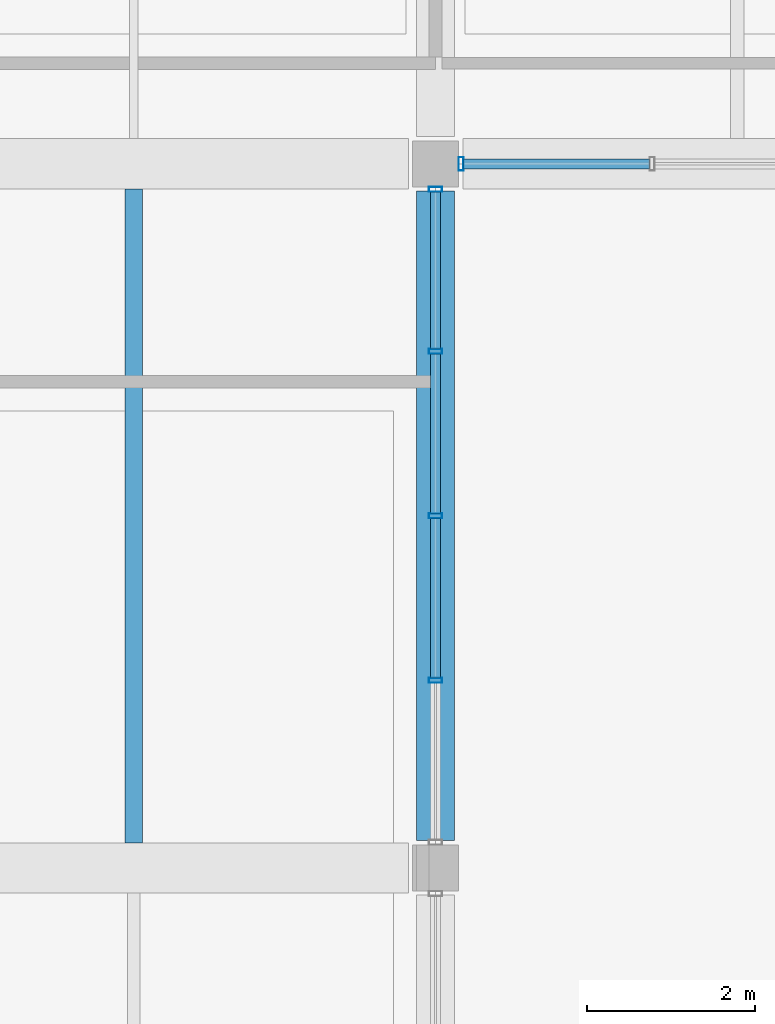
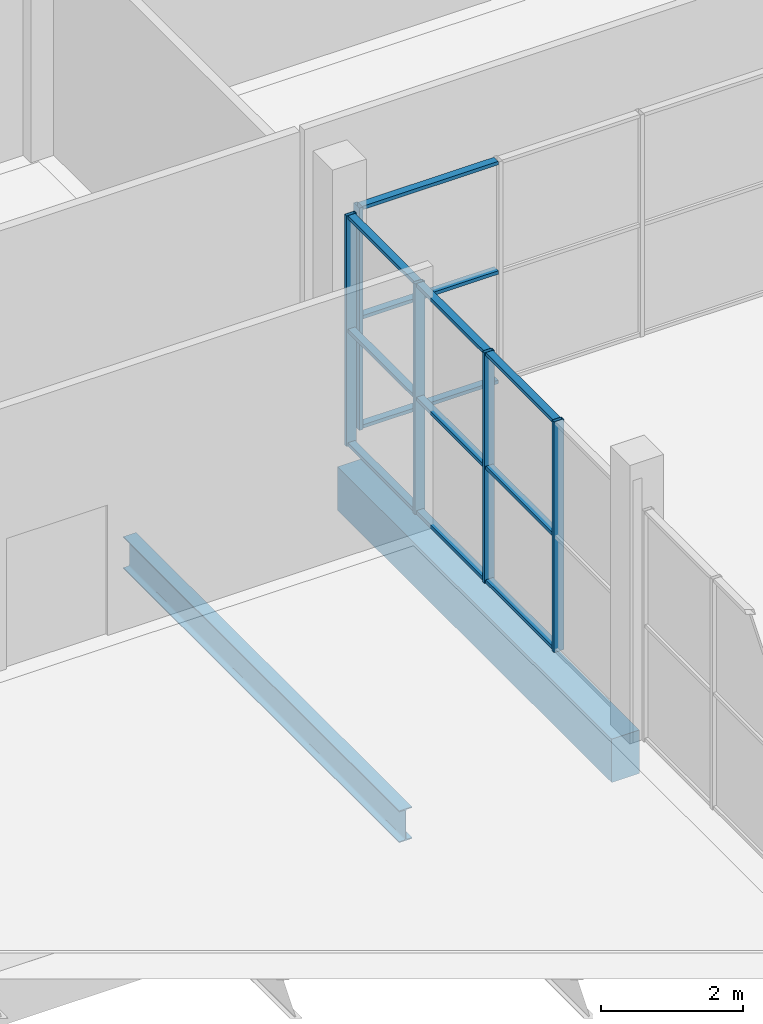
# One storey, part 21 of 130: 17 members, 2 beams, 2 elements without a shape of their own.
"""IFC4 building model written with IfcOpenShell, lengths in metres."""

from ifc_helpers import new_model, si_unit, direction, frame, origin, origin_2d, place, context, subcontext, project, spatial, rectangle, hollow_rectangle, i_section, extrude, material, material_profile, profile_set, type_object, element, aggregate, save


model = new_model("IFC4")

# Units and contexts
model_context = context("Model", 3, precision=1e-05, world=origin(), true_north=direction((0.0, 1.0)))
body_context = subcontext(model_context, "Body", "Model", "MODEL_VIEW")
ifc_project = project(units=[si_unit("LENGTHUNIT", "METRE"), si_unit("AREAUNIT", "SQUARE_METRE"), si_unit("VOLUMEUNIT", "CUBIC_METRE"), si_unit("PLANEANGLEUNIT", "RADIAN"), si_unit("MASSUNIT", "GRAM", prefix="KILO"), si_unit("THERMODYNAMICTEMPERATUREUNIT", "KELVIN")], contexts=[model_context])

# Site, building, storey
site_placement = place(None, origin())
site = spatial("IfcSite", under=ifc_project, at=site_placement, CompositionType="ELEMENT")
building_placement = place(site_placement, origin())
building = spatial("IfcBuilding", under=site, at=building_placement, Name="Nduvali Passage Aquatics Centre", CompositionType="ELEMENT")
storey_placement = place(building_placement, origin())
storey = spatial("IfcBuildingStorey", under=building, at=storey_placement, Name="L00", CompositionType="ELEMENT", Elevation=0.0)

# Curtain wall, member
ifc_material_1 = material(Name="Aluminium EN AW-6063 T6", Category="aluminium")
curtain_wall_type = type_object("IfcCurtainWallType", Name="ENV-CW-COUR", PredefinedType="NOTDEFINED", material=ifc_material_1)
curtain_wall_1_placement = place(storey_placement, origin())
curtain_wall_1 = element("IfcCurtainWall", 1, at=curtain_wall_1_placement, inside=storey, type_object=curtain_wall_type, Name="L00 Monsoon Courtyard Cloister CW 163", PredefinedType="NOTDEFINED")
ifc_material_profile_1 = material_profile(ifc_material_1, hollow_rectangle(XDim=0.06005859375, YDim=0.159912109375, WallThickness=0.00390625, at=origin_2d()), Name="ALU MULLION 60x160x4")
ifc_profile_set_1 = profile_set([ifc_material_profile_1], Name="Aluminium EN AW-6063 T6")
member_type_1 = type_object("IfcMemberType", Name="ENV-MEM-MUL60", PredefinedType="MULLION", material=ifc_profile_set_1)
member_1_placement = place(storey_placement, frame((68.705078125, 16.800048828125, 0.0), z_axis=(0.0, 0.0, 1.0), x_axis=(1.0, 0.0, 0.0)))
member_1 = element("IfcMember", 2, at=member_1_placement, type_object=member_type_1, Name="Monsoon Courtyard Cloister CW Mullion 1", PredefinedType="MULLION", context=body_context, shape_type="SweptSolid", body=[
    extrude(hollow_rectangle(XDim=0.06005859375, YDim=0.159912109375, WallThickness=0.00390625, at=origin_2d()), origin(), (0.0, 0.0, 1.0), 3.83251953125),
])

# Curtain wall, members
curtain_wall_2_placement = place(storey_placement, origin())
curtain_wall_2 = element("IfcCurtainWall", 3, at=curtain_wall_2_placement, inside=storey, type_object=curtain_wall_type, Name="L00 Courtyard West Cloister CW 171", PredefinedType="NOTDEFINED")
member_2_placement = place(storey_placement, frame((68.39990234375, 10.637451171875, 0.0), z_axis=(0.0, 0.0, 1.0), x_axis=(0.0, 1.0, 0.0)))
member_2 = element("IfcMember", 4, at=member_2_placement, type_object=member_type_1, Name="Courtyard West Cloister CW Mullion 2", PredefinedType="MULLION", context=body_context, shape_type="SweptSolid", body=[
    extrude(hollow_rectangle(XDim=0.06005859375, YDim=0.159912109375, WallThickness=0.00390625, at=origin_2d()), origin(), (0.0, 0.0, 1.0), 3.976318359375),
])
member_3_placement = place(storey_placement, frame((68.39990234375, 12.60009765625, 0.0), z_axis=(0.0, 0.0, 1.0), x_axis=(0.0, 1.0, 0.0)))
member_3 = element("IfcMember", 5, at=member_3_placement, type_object=member_type_1, Name="Courtyard West Cloister CW Mullion 3", PredefinedType="MULLION", context=body_context, shape_type="SweptSolid", body=[
    extrude(hollow_rectangle(XDim=0.06005859375, YDim=0.159912109375, WallThickness=0.00390625, at=origin_2d()), origin(), (0.0, 0.0, 1.0), 3.976318359375),
])
member_4_placement = place(storey_placement, frame((68.39990234375, 14.5625, 0.0), z_axis=(0.0, 0.0, 1.0), x_axis=(0.0, 1.0, 0.0)))
member_4 = element("IfcMember", 6, at=member_4_placement, type_object=member_type_1, Name="Courtyard West Cloister CW Mullion 4", PredefinedType="MULLION", context=body_context, shape_type="SweptSolid", body=[
    extrude(hollow_rectangle(XDim=0.06005859375, YDim=0.159912109375, WallThickness=0.00390625, at=origin_2d()), origin(), (0.0, 0.0, 1.0), 3.976318359375),
])
member_5_placement = place(storey_placement, frame((68.39990234375, 16.4951171875, 0.0), z_axis=(0.0, 0.0, 1.0), x_axis=(0.0, 1.0, 0.0)))
member_5 = element("IfcMember", 7, at=member_5_placement, type_object=member_type_1, Name="Courtyard West Cloister CW Mullion 5", PredefinedType="MULLION", context=body_context, shape_type="SweptSolid", body=[
    extrude(hollow_rectangle(XDim=0.06005859375, YDim=0.159912109375, WallThickness=0.00390625, at=origin_2d()), origin(), (0.0, 0.0, 1.0), 3.976318359375),
])

# Member
ifc_material_profile_2 = material_profile(ifc_material_1, hollow_rectangle(XDim=0.1201171875, YDim=0.06005859375, WallThickness=0.00390625, at=origin_2d()), Name="ALU TRANSOM 120x60x4")
ifc_profile_set_2 = profile_set([ifc_material_profile_2], Name="Aluminium EN AW-6063 T6")
member_type_2 = type_object("IfcMemberType", Name="ENV-MEM-TRN60", PredefinedType="USERDEFINED", material=ifc_profile_set_2)
member_6_placement = place(storey_placement, frame((68.735107421875, 16.800048828125, 0.030029296875), z_axis=(1.0, 0.0, 0.0), x_axis=(0.0, 1.0, 0.0)))
member_6 = element("IfcMember", 8, at=member_6_placement, type_object=member_type_2, Name="Monsoon Courtyard Cloister CW Transom B1-R0", ObjectType="TRANSOM", PredefinedType="USERDEFINED", context=body_context, shape_type="SweptSolid", body=[
    extrude(hollow_rectangle(XDim=0.1201171875, YDim=0.06005859375, WallThickness=0.00390625, at=origin_2d()), origin(), (0.0, 0.0, 1.0), 2.21826171875),
])

member_7_placement = place(storey_placement, frame((68.735107421875, 16.800048828125, 1.916259765625), z_axis=(1.0, 0.0, 0.0), x_axis=(0.0, 1.0, 0.0)))
member_7 = element("IfcMember", 9, at=member_7_placement, type_object=member_type_2, Name="Monsoon Courtyard Cloister CW Transom B1-R1", ObjectType="TRANSOM", PredefinedType="USERDEFINED", context=body_context, shape_type="SweptSolid", body=[
    extrude(hollow_rectangle(XDim=0.1201171875, YDim=0.06005859375, WallThickness=0.00390625, at=origin_2d()), origin(), (0.0, 0.0, 1.0), 2.21826171875),
])

member_8_placement = place(storey_placement, frame((68.735107421875, 16.800048828125, 3.802490234375), z_axis=(1.0, 0.0, 0.0), x_axis=(0.0, 1.0, 0.0)))
member_8 = element("IfcMember", 10, at=member_8_placement, type_object=member_type_2, Name="Monsoon Courtyard Cloister CW Transom B1-R2", ObjectType="TRANSOM", PredefinedType="USERDEFINED", context=body_context, shape_type="SweptSolid", body=[
    extrude(hollow_rectangle(XDim=0.1201171875, YDim=0.06005859375, WallThickness=0.00390625, at=origin_2d()), origin(), (0.0, 0.0, 1.0), 2.21826171875),
])

aggregate(curtain_wall_1, [member_1, member_6, member_7, member_8])

member_9_placement = place(storey_placement, frame((68.39990234375, 10.66748046875, 0.030029296875), z_axis=(0.0, 1.0, 0.0), x_axis=(-1.0, 0.0, 0.0)))
member_9 = element("IfcMember", 11, at=member_9_placement, type_object=member_type_2, Name="Courtyard West Cloister CW Transom B2-R0", ObjectType="TRANSOM", PredefinedType="USERDEFINED", context=body_context, shape_type="SweptSolid", body=[
    extrude(hollow_rectangle(XDim=0.1201171875, YDim=0.06005859375, WallThickness=0.00390625, at=origin_2d()), origin(), (0.0, 0.0, 1.0), 1.902587890625),
])

member_10_placement = place(storey_placement, frame((68.39990234375, 10.66748046875, 1.98828125), z_axis=(0.0, 1.0, 0.0), x_axis=(-1.0, 0.0, 0.0)))
member_10 = element("IfcMember", 12, at=member_10_placement, type_object=member_type_2, Name="Courtyard West Cloister CW Transom B2-R1", ObjectType="TRANSOM", PredefinedType="USERDEFINED", context=body_context, shape_type="SweptSolid", body=[
    extrude(hollow_rectangle(XDim=0.1201171875, YDim=0.06005859375, WallThickness=0.00390625, at=origin_2d()), origin(), (0.0, 0.0, 1.0), 1.902587890625),
])

member_11_placement = place(storey_placement, frame((68.39990234375, 10.66748046875, 3.9462890625), z_axis=(0.0, 1.0, 0.0), x_axis=(-1.0, 0.0, 0.0)))
member_11 = element("IfcMember", 13, at=member_11_placement, type_object=member_type_2, Name="Courtyard West Cloister CW Transom B2-R2", ObjectType="TRANSOM", PredefinedType="USERDEFINED", context=body_context, shape_type="SweptSolid", body=[
    extrude(hollow_rectangle(XDim=0.1201171875, YDim=0.06005859375, WallThickness=0.00390625, at=origin_2d()), origin(), (0.0, 0.0, 1.0), 1.902587890625),
])

member_12_placement = place(storey_placement, frame((68.39990234375, 12.6298828125, 0.030029296875), z_axis=(0.0, 1.0, 0.0), x_axis=(-1.0, 0.0, 0.0)))
member_12 = element("IfcMember", 14, at=member_12_placement, type_object=member_type_2, Name="Courtyard West Cloister CW Transom B3-R0", ObjectType="TRANSOM", PredefinedType="USERDEFINED", context=body_context, shape_type="SweptSolid", body=[
    extrude(hollow_rectangle(XDim=0.1201171875, YDim=0.06005859375, WallThickness=0.00390625, at=origin_2d()), origin(), (0.0, 0.0, 1.0), 1.902587890625),
])

member_13_placement = place(storey_placement, frame((68.39990234375, 12.6298828125, 1.98828125), z_axis=(0.0, 1.0, 0.0), x_axis=(-1.0, 0.0, 0.0)))
member_13 = element("IfcMember", 15, at=member_13_placement, type_object=member_type_2, Name="Courtyard West Cloister CW Transom B3-R1", ObjectType="TRANSOM", PredefinedType="USERDEFINED", context=body_context, shape_type="SweptSolid", body=[
    extrude(hollow_rectangle(XDim=0.1201171875, YDim=0.06005859375, WallThickness=0.00390625, at=origin_2d()), origin(), (0.0, 0.0, 1.0), 1.902587890625),
])

member_14_placement = place(storey_placement, frame((68.39990234375, 12.6298828125, 3.9462890625), z_axis=(0.0, 1.0, 0.0), x_axis=(-1.0, 0.0, 0.0)))
member_14 = element("IfcMember", 16, at=member_14_placement, type_object=member_type_2, Name="Courtyard West Cloister CW Transom B3-R2", ObjectType="TRANSOM", PredefinedType="USERDEFINED", context=body_context, shape_type="SweptSolid", body=[
    extrude(hollow_rectangle(XDim=0.1201171875, YDim=0.06005859375, WallThickness=0.00390625, at=origin_2d()), origin(), (0.0, 0.0, 1.0), 1.902587890625),
])

member_15_placement = place(storey_placement, frame((68.39990234375, 14.592529296875, 0.030029296875), z_axis=(0.0, 1.0, 0.0), x_axis=(-1.0, 0.0, 0.0)))
member_15 = element("IfcMember", 17, at=member_15_placement, type_object=member_type_2, Name="Courtyard West Cloister CW Transom B4-R0", ObjectType="TRANSOM", PredefinedType="USERDEFINED", context=body_context, shape_type="SweptSolid", body=[
    extrude(hollow_rectangle(XDim=0.1201171875, YDim=0.06005859375, WallThickness=0.00390625, at=origin_2d()), origin(), (0.0, 0.0, 1.0), 1.87255859375),
])

member_16_placement = place(storey_placement, frame((68.39990234375, 14.592529296875, 1.98828125), z_axis=(0.0, 1.0, 0.0), x_axis=(-1.0, 0.0, 0.0)))
member_16 = element("IfcMember", 18, at=member_16_placement, type_object=member_type_2, Name="Courtyard West Cloister CW Transom B4-R1", ObjectType="TRANSOM", PredefinedType="USERDEFINED", context=body_context, shape_type="SweptSolid", body=[
    extrude(hollow_rectangle(XDim=0.1201171875, YDim=0.06005859375, WallThickness=0.00390625, at=origin_2d()), origin(), (0.0, 0.0, 1.0), 1.87255859375),
])

member_17_placement = place(storey_placement, frame((68.39990234375, 14.592529296875, 3.9462890625), z_axis=(0.0, 1.0, 0.0), x_axis=(-1.0, 0.0, 0.0)))
member_17 = element("IfcMember", 19, at=member_17_placement, type_object=member_type_2, Name="Courtyard West Cloister CW Transom B4-R2", ObjectType="TRANSOM", PredefinedType="USERDEFINED", context=body_context, shape_type="SweptSolid", body=[
    extrude(hollow_rectangle(XDim=0.1201171875, YDim=0.06005859375, WallThickness=0.00390625, at=origin_2d()), origin(), (0.0, 0.0, 1.0), 1.87255859375),
])

aggregate(curtain_wall_2, [member_2, member_3, member_4, member_5, member_9, member_10, member_11, member_12, member_13, member_14, member_15, member_16, member_17])

# Beams
ifc_material_2 = material(Name="Concrete C40/50", Category="concrete")
ifc_material_profile_3 = material_profile(ifc_material_2, rectangle(XDim=0.449951171875, YDim=0.75, at=origin_2d()), Name="RC 450x750")
ifc_profile_set_3 = profile_set([ifc_material_profile_3], Name="Concrete C40/50")
beam_type_1 = type_object("IfcBeamType", Name="STR-BM-RC4575", PredefinedType="BEAM", material=ifc_profile_set_3)
beam_1_placement = place(storey_placement, frame((68.39990234375, 8.72509765625, -0.675048828125), z_axis=(0.0, 1.0, 0.0), x_axis=(-1.0, 0.0, 0.0)))
element("IfcBeam", 20, at=beam_1_placement, inside=storey, type_object=beam_type_1, Name="L00 Primary Y-Girder B3-0152", PredefinedType="BEAM", context=body_context, shape_type="SweptSolid", body=[
    extrude(rectangle(XDim=0.449951171875, YDim=0.75, at=origin_2d()), origin(), (0.0, 0.0, 1.0), 7.75),
])
ifc_material_3 = material(Name="Steel S355", Category="steel")
ifc_material_profile_4 = material_profile(ifc_material_3, i_section(OverallWidth=0.2099609375, OverallDepth=0.550048828125, WebThickness=0.010986328125, FlangeThickness=0.01708984375, FilletRadius=0.02392578125, at=origin_2d()), Name="IPE 550")
ifc_profile_set_4 = profile_set([ifc_material_profile_4], Name="Steel S355")
beam_type_2 = type_object("IfcBeamType", Name="STR-JST-IPE550", PredefinedType="JOIST", material=ifc_profile_set_4)
beam_2_placement = place(storey_placement, frame((64.800048828125, 8.699951171875, -0.5791015625), z_axis=(0.0, 1.0, 0.0), x_axis=(-1.0, 0.0, 0.0)))
element("IfcBeam", 21, at=beam_2_placement, inside=storey, type_object=beam_type_2, Name="L00 Secondary Joist J5C-0269", PredefinedType="JOIST", context=body_context, shape_type="SweptSolid", body=[
    extrude(i_section(OverallWidth=0.2099609375, OverallDepth=0.550048828125, WebThickness=0.010986328125, FlangeThickness=0.01708984375, FilletRadius=0.02392578125, at=origin_2d()), origin(), (0.0, 0.0, 1.0), 7.800048828125),
])

save(model, "model.ifc")
